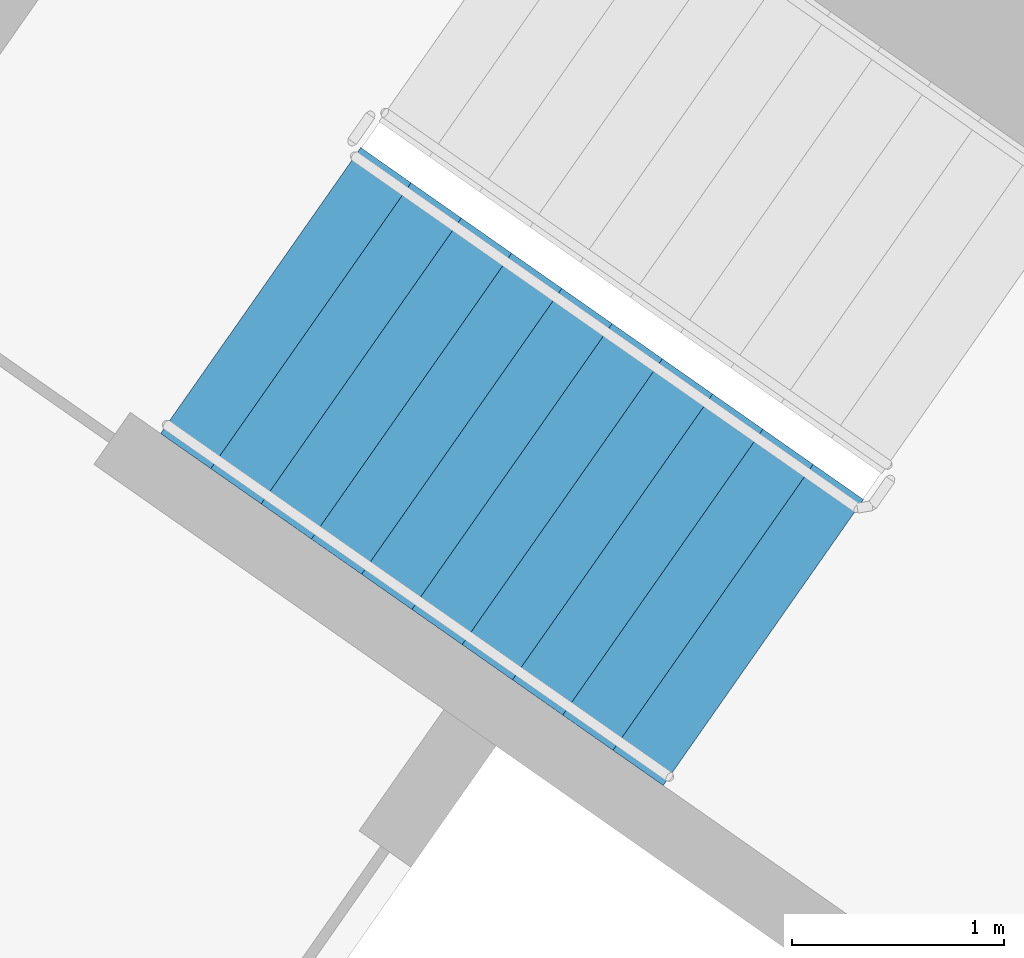
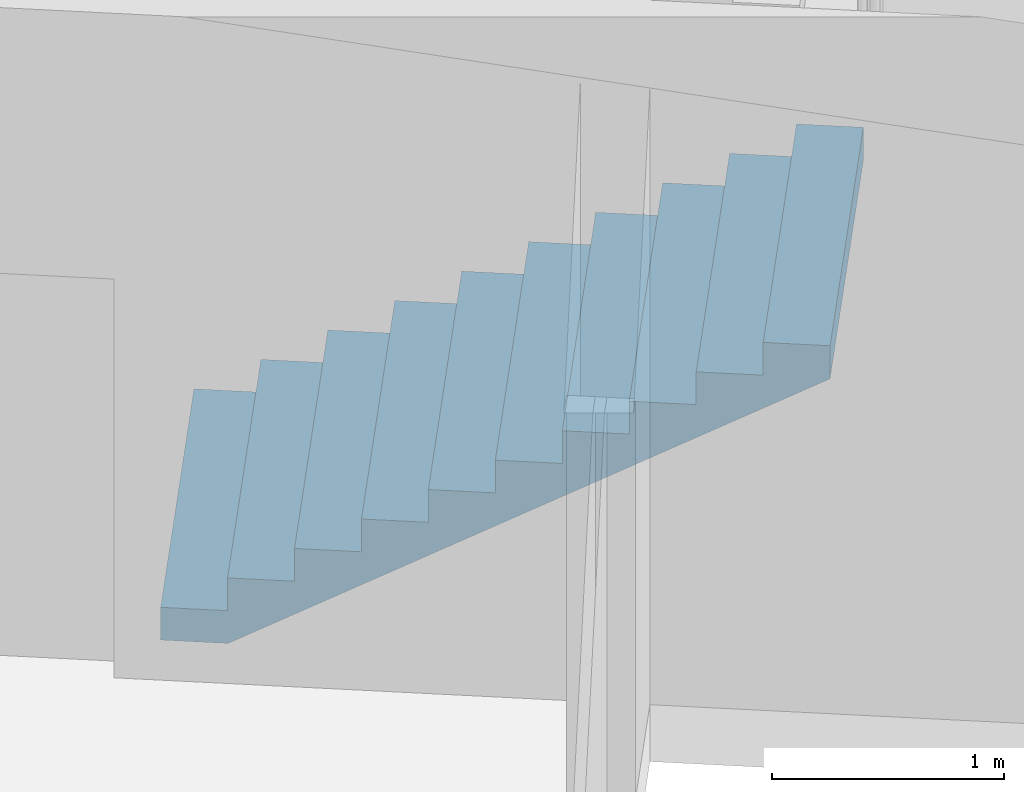
# One storey, part 12 of 28: 1 stair flight, 1 element without a shape of its own.
"""IFC4 building model written with IfcOpenShell, lengths in metres."""

from ifc_helpers import new_model, si_unit, direction, frame, origin, place, context, subcontext, project, spatial, faceted_brep, material, type_object, element, aggregate, save


model = new_model("IFC4")

# Units and contexts
model_context = context("Model", 3, precision=1e-05, world=origin(), true_north=direction((0.0, 1.0)))
body_context = subcontext(model_context, "Body", "Model", "MODEL_VIEW")
ifc_project = project(units=[si_unit("LENGTHUNIT", "METRE"), si_unit("AREAUNIT", "SQUARE_METRE"), si_unit("VOLUMEUNIT", "CUBIC_METRE"), si_unit("PLANEANGLEUNIT", "RADIAN"), si_unit("MASSUNIT", "GRAM", prefix="KILO")], contexts=[model_context])

# Site, building, storey
site_placement = place(None, origin())
site = spatial("IfcSite", under=ifc_project, at=site_placement, CompositionType="ELEMENT")
building_placement = place(site_placement, origin())
building = spatial("IfcBuilding", under=site, at=building_placement, Name="Qamariyya Broadcast Tower", CompositionType="ELEMENT")
storey_placement = place(building_placement, frame((0.0, 0.0, 218.89990234375)))
storey = spatial("IfcBuildingStorey", under=building, at=storey_placement, Name="L52", CompositionType="ELEMENT", Elevation=218.89990234375)

# Stair, stair flight
ifc_material = material(Name="Concrete C50/60", Category="concrete")
stair_type = type_object("IfcStairType", Name="Exit stair 22 risers of 173 mm", PredefinedType="HALF_TURN_STAIR", material=ifc_material)
stair_placement = place(storey_placement, origin())
stair = element("IfcStair", 1, at=stair_placement, inside=storey, type_object=stair_type, Name="L52 Stair W2", PredefinedType="HALF_TURN_STAIR")
stair_flight_type = type_object("IfcStairFlightType", Name="Exit stair flight 11 risers of 173 mm", PredefinedType="STRAIGHT", material=ifc_material)
stair_flight_placement = place(storey_placement, frame((-41.59130859375, -49.15966796875, 0.0), z_axis=(0.0, 0.0, 1.0), x_axis=(0.819152044289, -0.573576436351, 0.0)))
stair_flight = element("IfcStairFlight", 2, at=stair_flight_placement, type_object=stair_flight_type, Name="ST-W2 flight 1", NumberOfRisers=11, NumberOfTreads=10, PredefinedType="STRAIGHT", RiserHeight=0.172727273, TreadLength=0.29, context=body_context, shape_type="Brep", body=[
    faceted_brep([(0.0, 0.824951171875, 0.0), (0.0, 0.824951171875, 0.172607421875), (0.2900390625, 0.824951171875, 0.172607421875), (0.2900390625, 0.824951171875, 0.345458984375), (0.580078125, 0.824951171875, 0.345458984375), (0.580078125, 0.824951171875, 0.51806640625), (0.8701171875, 0.824951171875, 0.51806640625), (0.8701171875, 0.824951171875, 0.69091796875), (1.159912109375, 0.824951171875, 0.69091796875), (1.159912109375, 0.824951171875, 0.863525390625), (1.449951171875, 0.824951171875, 0.863525390625), (1.449951171875, 0.824951171875, 1.036376953125), (1.739990234375, 0.824951171875, 1.036376953125), (1.739990234375, 0.824951171875, 1.208984375), (2.030029296875, 0.824951171875, 1.208984375), (2.030029296875, 0.824951171875, 1.3818359375), (2.320068359375, 0.824951171875, 1.3818359375), (2.320068359375, 0.824951171875, 1.554443359375), (2.610107421875, 0.824951171875, 1.554443359375), (2.610107421875, 0.824951171875, 1.727294921875), (2.89990234375, 0.824951171875, 1.727294921875), (2.89990234375, 0.824951171875, 1.552734375), (0.29296875, 0.824951171875, 0.0), (0.29296875, -0.824951171875, 0.0), (2.89990234375, -0.824951171875, 1.552734375), (2.89990234375, -0.824951171875, 1.727294921875), (2.610107421875, -0.824951171875, 1.727294921875), (2.610107421875, -0.824951171875, 1.554443359375), (2.320068359375, -0.824951171875, 1.554443359375), (2.320068359375, -0.824951171875, 1.3818359375), (2.030029296875, -0.824951171875, 1.3818359375), (2.030029296875, -0.824951171875, 1.208984375), (1.739990234375, -0.824951171875, 1.208984375), (1.739990234375, -0.824951171875, 1.036376953125), (1.449951171875, -0.824951171875, 1.036376953125), (1.449951171875, -0.824951171875, 0.863525390625), (1.159912109375, -0.824951171875, 0.863525390625), (1.159912109375, -0.824951171875, 0.69091796875), (0.8701171875, -0.824951171875, 0.69091796875), (0.8701171875, -0.824951171875, 0.51806640625), (0.580078125, -0.824951171875, 0.51806640625), (0.580078125, -0.824951171875, 0.345458984375), (0.2900390625, -0.824951171875, 0.345458984375), (0.2900390625, -0.824951171875, 0.172607421875), (0.0, -0.824951171875, 0.172607421875), (0.0, -0.824951171875, 0.0), (0.0, 0.10009765625, 0.0), (0.0, 0.086669921875, 0.0), (0.0, 0.0732421875, 0.0), (0.0, 0.06005859375, 0.0), (0.0, 0.046630859375, 0.0), (0.0, 0.033447265625, 0.0), (0.0, 0.02001953125, 0.0), (0.0, 0.006591796875, 0.0), (0.0, -0.006591796875, 0.0), (0.0, -0.02001953125, 0.0), (0.0, -0.033447265625, 0.0), (0.0, -0.046630859375, 0.0), (0.0, -0.06005859375, 0.0), (0.0, -0.0732421875, 0.0), (0.0, -0.086669921875, 0.0), (0.0, -0.10009765625, 0.0), (0.0, -0.10009765625, 0.172607421875), (0.0, -0.086669921875, 0.172607421875), (0.0, -0.0732421875, 0.172607421875), (0.0, -0.06005859375, 0.172607421875), (0.0, -0.046630859375, 0.172607421875), (0.0, -0.033447265625, 0.172607421875), (0.0, -0.02001953125, 0.172607421875), (0.0, -0.006591796875, 0.172607421875), (0.0, 0.006591796875, 0.172607421875), (0.0, 0.02001953125, 0.172607421875), (0.0, 0.033447265625, 0.172607421875), (0.0, 0.046630859375, 0.172607421875), (0.0, 0.06005859375, 0.172607421875), (0.0, 0.0732421875, 0.172607421875), (0.0, 0.086669921875, 0.172607421875), (0.0, 0.10009765625, 0.172607421875), (0.2900390625, -0.10009765625, 0.172607421875), (0.2900390625, -0.086669921875, 0.172607421875), (0.2900390625, -0.0732421875, 0.172607421875), (0.2900390625, -0.06005859375, 0.172607421875), (0.2900390625, -0.046630859375, 0.172607421875), (0.2900390625, -0.033447265625, 0.172607421875), (0.2900390625, -0.02001953125, 0.172607421875), (0.2900390625, -0.006591796875, 0.172607421875), (0.2900390625, 0.006591796875, 0.172607421875), (0.2900390625, 0.02001953125, 0.172607421875), (0.2900390625, 0.033447265625, 0.172607421875), (0.2900390625, 0.046630859375, 0.172607421875), (0.2900390625, 0.06005859375, 0.172607421875), (0.2900390625, 0.0732421875, 0.172607421875), (0.2900390625, 0.086669921875, 0.172607421875), (0.2900390625, 0.10009765625, 0.172607421875), (0.2900390625, -0.10009765625, 0.345458984375), (0.2900390625, -0.086669921875, 0.345458984375), (0.2900390625, -0.0732421875, 0.345458984375), (0.2900390625, -0.06005859375, 0.345458984375), (0.2900390625, -0.046630859375, 0.345458984375), (0.2900390625, -0.033447265625, 0.345458984375), (0.2900390625, -0.02001953125, 0.345458984375), (0.2900390625, -0.006591796875, 0.345458984375), (0.2900390625, 0.006591796875, 0.345458984375), (0.2900390625, 0.02001953125, 0.345458984375), (0.2900390625, 0.033447265625, 0.345458984375), (0.2900390625, 0.046630859375, 0.345458984375), (0.2900390625, 0.06005859375, 0.345458984375), (0.2900390625, 0.0732421875, 0.345458984375), (0.2900390625, 0.086669921875, 0.345458984375), (0.2900390625, 0.10009765625, 0.345458984375), (0.580078125, -0.10009765625, 0.345458984375), (0.580078125, -0.086669921875, 0.345458984375), (0.580078125, -0.0732421875, 0.345458984375), (0.580078125, -0.06005859375, 0.345458984375), (0.580078125, -0.046630859375, 0.345458984375), (0.580078125, -0.033447265625, 0.345458984375), (0.580078125, -0.02001953125, 0.345458984375), (0.580078125, -0.006591796875, 0.345458984375), (0.580078125, 0.006591796875, 0.345458984375), (0.580078125, 0.02001953125, 0.345458984375), (0.580078125, 0.033447265625, 0.345458984375), (0.580078125, 0.046630859375, 0.345458984375), (0.580078125, 0.06005859375, 0.345458984375), (0.580078125, 0.0732421875, 0.345458984375), (0.580078125, 0.086669921875, 0.345458984375), (0.580078125, 0.10009765625, 0.345458984375), (0.580078125, -0.10009765625, 0.51806640625), (0.580078125, -0.086669921875, 0.51806640625), (0.580078125, -0.0732421875, 0.51806640625), (0.580078125, -0.06005859375, 0.51806640625), (0.580078125, -0.046630859375, 0.51806640625), (0.580078125, -0.033447265625, 0.51806640625), (0.580078125, -0.02001953125, 0.51806640625), (0.580078125, -0.006591796875, 0.51806640625), (0.580078125, 0.006591796875, 0.51806640625), (0.580078125, 0.02001953125, 0.51806640625), (0.580078125, 0.033447265625, 0.51806640625), (0.580078125, 0.046630859375, 0.51806640625), (0.580078125, 0.06005859375, 0.51806640625), (0.580078125, 0.0732421875, 0.51806640625), (0.580078125, 0.086669921875, 0.51806640625), (0.580078125, 0.10009765625, 0.51806640625), (0.8701171875, -0.10009765625, 0.51806640625), (0.8701171875, -0.086669921875, 0.51806640625), (0.8701171875, -0.0732421875, 0.51806640625), (0.8701171875, -0.06005859375, 0.51806640625), (0.8701171875, -0.046630859375, 0.51806640625), (0.8701171875, -0.033447265625, 0.51806640625), (0.8701171875, -0.02001953125, 0.51806640625), (0.8701171875, -0.006591796875, 0.51806640625), (0.8701171875, 0.006591796875, 0.51806640625), (0.8701171875, 0.02001953125, 0.51806640625), (0.8701171875, 0.033447265625, 0.51806640625), (0.8701171875, 0.046630859375, 0.51806640625), (0.8701171875, 0.06005859375, 0.51806640625), (0.8701171875, 0.0732421875, 0.51806640625), (0.8701171875, 0.086669921875, 0.51806640625), (0.8701171875, 0.10009765625, 0.51806640625), (0.8701171875, -0.10009765625, 0.69091796875), (0.8701171875, -0.086669921875, 0.69091796875), (0.8701171875, -0.0732421875, 0.69091796875), (0.8701171875, -0.06005859375, 0.69091796875), (0.8701171875, -0.046630859375, 0.69091796875), (0.8701171875, -0.033447265625, 0.69091796875), (0.8701171875, -0.02001953125, 0.69091796875), (0.8701171875, -0.006591796875, 0.69091796875), (0.8701171875, 0.006591796875, 0.69091796875), (0.8701171875, 0.02001953125, 0.69091796875), (0.8701171875, 0.033447265625, 0.69091796875), (0.8701171875, 0.046630859375, 0.69091796875), (0.8701171875, 0.06005859375, 0.69091796875), (0.8701171875, 0.0732421875, 0.69091796875), (0.8701171875, 0.086669921875, 0.69091796875), (0.8701171875, 0.10009765625, 0.69091796875), (1.159912109375, -0.10009765625, 0.69091796875), (1.159912109375, -0.086669921875, 0.69091796875), (1.159912109375, -0.0732421875, 0.69091796875), (1.159912109375, -0.06005859375, 0.69091796875), (1.159912109375, -0.046630859375, 0.69091796875), (1.159912109375, -0.033447265625, 0.69091796875), (1.159912109375, -0.02001953125, 0.69091796875), (1.159912109375, -0.006591796875, 0.69091796875), (1.159912109375, 0.006591796875, 0.69091796875), (1.159912109375, 0.02001953125, 0.69091796875), (1.159912109375, 0.033447265625, 0.69091796875), (1.159912109375, 0.046630859375, 0.69091796875), (1.159912109375, 0.06005859375, 0.69091796875), (1.159912109375, 0.0732421875, 0.69091796875), (1.159912109375, 0.086669921875, 0.69091796875), (1.159912109375, 0.10009765625, 0.69091796875), (1.159912109375, -0.10009765625, 0.863525390625), (1.159912109375, -0.086669921875, 0.863525390625), (1.159912109375, -0.0732421875, 0.863525390625), (1.159912109375, -0.06005859375, 0.863525390625), (1.159912109375, -0.046630859375, 0.863525390625), (1.159912109375, -0.033447265625, 0.863525390625), (1.159912109375, -0.02001953125, 0.863525390625), (1.159912109375, -0.006591796875, 0.863525390625), (1.159912109375, 0.006591796875, 0.863525390625), (1.159912109375, 0.02001953125, 0.863525390625), (1.159912109375, 0.033447265625, 0.863525390625), (1.159912109375, 0.046630859375, 0.863525390625), (1.159912109375, 0.06005859375, 0.863525390625), (1.159912109375, 0.0732421875, 0.863525390625), (1.159912109375, 0.086669921875, 0.863525390625), (1.159912109375, 0.10009765625, 0.863525390625), (1.449951171875, -0.10009765625, 0.863525390625), (1.449951171875, -0.086669921875, 0.863525390625), (1.449951171875, -0.0732421875, 0.863525390625), (1.449951171875, -0.06005859375, 0.863525390625), (1.449951171875, -0.046630859375, 0.863525390625), (1.449951171875, -0.033447265625, 0.863525390625), (1.449951171875, -0.02001953125, 0.863525390625), (1.449951171875, -0.006591796875, 0.863525390625), (1.449951171875, 0.006591796875, 0.863525390625), (1.449951171875, 0.02001953125, 0.863525390625), (1.449951171875, 0.033447265625, 0.863525390625), (1.449951171875, 0.046630859375, 0.863525390625), (1.449951171875, 0.06005859375, 0.863525390625), (1.449951171875, 0.0732421875, 0.863525390625), (1.449951171875, 0.086669921875, 0.863525390625), (1.449951171875, 0.10009765625, 0.863525390625), (1.449951171875, -0.10009765625, 1.036376953125), (1.449951171875, -0.086669921875, 1.036376953125), (1.449951171875, -0.0732421875, 1.036376953125), (1.449951171875, -0.06005859375, 1.036376953125), (1.449951171875, -0.046630859375, 1.036376953125), (1.449951171875, -0.033447265625, 1.036376953125), (1.449951171875, -0.02001953125, 1.036376953125), (1.449951171875, -0.006591796875, 1.036376953125), (1.449951171875, 0.006591796875, 1.036376953125), (1.449951171875, 0.02001953125, 1.036376953125), (1.449951171875, 0.033447265625, 1.036376953125), (1.449951171875, 0.046630859375, 1.036376953125), (1.449951171875, 0.06005859375, 1.036376953125), (1.449951171875, 0.0732421875, 1.036376953125), (1.449951171875, 0.086669921875, 1.036376953125), (1.449951171875, 0.10009765625, 1.036376953125), (1.739990234375, -0.10009765625, 1.036376953125), (1.739990234375, -0.086669921875, 1.036376953125), (1.739990234375, -0.0732421875, 1.036376953125), (1.739990234375, -0.06005859375, 1.036376953125), (1.739990234375, -0.046630859375, 1.036376953125), (1.739990234375, -0.033447265625, 1.036376953125), (1.739990234375, -0.02001953125, 1.036376953125), (1.739990234375, -0.006591796875, 1.036376953125), (1.739990234375, 0.006591796875, 1.036376953125), (1.739990234375, 0.02001953125, 1.036376953125), (1.739990234375, 0.033447265625, 1.036376953125), (1.739990234375, 0.046630859375, 1.036376953125), (1.739990234375, 0.06005859375, 1.036376953125), (1.739990234375, 0.0732421875, 1.036376953125), (1.739990234375, 0.086669921875, 1.036376953125), (1.739990234375, 0.10009765625, 1.036376953125), (1.739990234375, -0.10009765625, 1.208984375), (1.739990234375, -0.086669921875, 1.208984375), (1.739990234375, -0.0732421875, 1.208984375), (1.739990234375, -0.06005859375, 1.208984375), (1.739990234375, -0.046630859375, 1.208984375), (1.739990234375, -0.033447265625, 1.208984375), (1.739990234375, -0.02001953125, 1.208984375), (1.739990234375, -0.006591796875, 1.208984375), (1.739990234375, 0.006591796875, 1.208984375), (1.739990234375, 0.02001953125, 1.208984375), (1.739990234375, 0.033447265625, 1.208984375), (1.739990234375, 0.046630859375, 1.208984375), (1.739990234375, 0.06005859375, 1.208984375), (1.739990234375, 0.0732421875, 1.208984375), (1.739990234375, 0.086669921875, 1.208984375), (1.739990234375, 0.10009765625, 1.208984375), (2.030029296875, -0.10009765625, 1.208984375), (2.030029296875, -0.086669921875, 1.208984375), (2.030029296875, -0.0732421875, 1.208984375), (2.030029296875, -0.06005859375, 1.208984375), (2.030029296875, -0.046630859375, 1.208984375), (2.030029296875, -0.033447265625, 1.208984375), (2.030029296875, -0.02001953125, 1.208984375), (2.030029296875, -0.006591796875, 1.208984375), (2.030029296875, 0.006591796875, 1.208984375), (2.030029296875, 0.02001953125, 1.208984375), (2.030029296875, 0.033447265625, 1.208984375), (2.030029296875, 0.046630859375, 1.208984375), (2.030029296875, 0.06005859375, 1.208984375), (2.030029296875, 0.0732421875, 1.208984375), (2.030029296875, 0.086669921875, 1.208984375), (2.030029296875, 0.10009765625, 1.208984375), (2.030029296875, -0.10009765625, 1.3818359375), (2.030029296875, -0.086669921875, 1.3818359375), (2.030029296875, -0.0732421875, 1.3818359375), (2.030029296875, -0.06005859375, 1.3818359375), (2.030029296875, -0.046630859375, 1.3818359375), (2.030029296875, -0.033447265625, 1.3818359375), (2.030029296875, -0.02001953125, 1.3818359375), (2.030029296875, -0.006591796875, 1.3818359375), (2.030029296875, 0.006591796875, 1.3818359375), (2.030029296875, 0.02001953125, 1.3818359375), (2.030029296875, 0.033447265625, 1.3818359375), (2.030029296875, 0.046630859375, 1.3818359375), (2.030029296875, 0.06005859375, 1.3818359375), (2.030029296875, 0.0732421875, 1.3818359375), (2.030029296875, 0.086669921875, 1.3818359375), (2.030029296875, 0.10009765625, 1.3818359375), (2.320068359375, -0.10009765625, 1.3818359375), (2.320068359375, -0.086669921875, 1.3818359375), (2.320068359375, -0.0732421875, 1.3818359375), (2.320068359375, -0.06005859375, 1.3818359375), (2.320068359375, -0.046630859375, 1.3818359375), (2.320068359375, -0.033447265625, 1.3818359375), (2.320068359375, -0.02001953125, 1.3818359375), (2.320068359375, -0.006591796875, 1.3818359375), (2.320068359375, 0.006591796875, 1.3818359375), (2.320068359375, 0.02001953125, 1.3818359375), (2.320068359375, 0.033447265625, 1.3818359375), (2.320068359375, 0.046630859375, 1.3818359375), (2.320068359375, 0.06005859375, 1.3818359375), (2.320068359375, 0.0732421875, 1.3818359375), (2.320068359375, 0.086669921875, 1.3818359375), (2.320068359375, 0.10009765625, 1.3818359375), (2.320068359375, -0.10009765625, 1.554443359375), (2.320068359375, -0.086669921875, 1.554443359375), (2.320068359375, -0.0732421875, 1.554443359375), (2.320068359375, -0.06005859375, 1.554443359375), (2.320068359375, -0.046630859375, 1.554443359375), (2.320068359375, -0.033447265625, 1.554443359375), (2.320068359375, -0.02001953125, 1.554443359375), (2.320068359375, -0.006591796875, 1.554443359375), (2.320068359375, 0.006591796875, 1.554443359375), (2.320068359375, 0.02001953125, 1.554443359375), (2.320068359375, 0.033447265625, 1.554443359375), (2.320068359375, 0.046630859375, 1.554443359375), (2.320068359375, 0.06005859375, 1.554443359375), (2.320068359375, 0.0732421875, 1.554443359375), (2.320068359375, 0.086669921875, 1.554443359375), (2.320068359375, 0.10009765625, 1.554443359375), (2.610107421875, -0.10009765625, 1.554443359375), (2.610107421875, -0.086669921875, 1.554443359375), (2.610107421875, -0.0732421875, 1.554443359375), (2.610107421875, -0.06005859375, 1.554443359375), (2.610107421875, -0.046630859375, 1.554443359375), (2.610107421875, -0.033447265625, 1.554443359375), (2.610107421875, -0.02001953125, 1.554443359375), (2.610107421875, -0.006591796875, 1.554443359375), (2.610107421875, 0.006591796875, 1.554443359375), (2.610107421875, 0.02001953125, 1.554443359375), (2.610107421875, 0.033447265625, 1.554443359375), (2.610107421875, 0.046630859375, 1.554443359375), (2.610107421875, 0.06005859375, 1.554443359375), (2.610107421875, 0.0732421875, 1.554443359375), (2.610107421875, 0.086669921875, 1.554443359375), (2.610107421875, 0.10009765625, 1.554443359375), (2.610107421875, -0.10009765625, 1.727294921875), (2.610107421875, -0.086669921875, 1.727294921875), (2.610107421875, -0.0732421875, 1.727294921875), (2.610107421875, -0.06005859375, 1.727294921875), (2.610107421875, -0.046630859375, 1.727294921875), (2.610107421875, -0.033447265625, 1.727294921875), (2.610107421875, -0.02001953125, 1.727294921875), (2.610107421875, -0.006591796875, 1.727294921875), (2.610107421875, 0.006591796875, 1.727294921875), (2.610107421875, 0.02001953125, 1.727294921875), (2.610107421875, 0.033447265625, 1.727294921875), (2.610107421875, 0.046630859375, 1.727294921875), (2.610107421875, 0.06005859375, 1.727294921875), (2.610107421875, 0.0732421875, 1.727294921875), (2.610107421875, 0.086669921875, 1.727294921875), (2.610107421875, 0.10009765625, 1.727294921875), (2.89990234375, -0.10009765625, 1.727294921875), (2.89990234375, -0.086669921875, 1.727294921875), (2.89990234375, -0.0732421875, 1.727294921875), (2.89990234375, -0.06005859375, 1.727294921875), (2.89990234375, -0.046630859375, 1.727294921875), (2.89990234375, -0.033447265625, 1.727294921875), (2.89990234375, -0.02001953125, 1.727294921875), (2.89990234375, -0.006591796875, 1.727294921875), (2.89990234375, 0.006591796875, 1.727294921875), (2.89990234375, 0.02001953125, 1.727294921875), (2.89990234375, 0.033447265625, 1.727294921875), (2.89990234375, 0.046630859375, 1.727294921875), (2.89990234375, 0.06005859375, 1.727294921875), (2.89990234375, 0.0732421875, 1.727294921875), (2.89990234375, 0.086669921875, 1.727294921875), (2.89990234375, 0.10009765625, 1.727294921875), (2.89990234375, -0.10009765625, 1.552734375), (2.89990234375, -0.086669921875, 1.552734375), (2.89990234375, -0.0732421875, 1.552734375), (2.89990234375, -0.06005859375, 1.552734375), (2.89990234375, -0.046630859375, 1.552734375), (2.89990234375, -0.033447265625, 1.552734375), (2.89990234375, -0.02001953125, 1.552734375), (2.89990234375, -0.006591796875, 1.552734375), (2.89990234375, 0.006591796875, 1.552734375), (2.89990234375, 0.02001953125, 1.552734375), (2.89990234375, 0.033447265625, 1.552734375), (2.89990234375, 0.046630859375, 1.552734375), (2.89990234375, 0.06005859375, 1.552734375), (2.89990234375, 0.0732421875, 1.552734375), (2.89990234375, 0.086669921875, 1.552734375), (2.89990234375, 0.10009765625, 1.552734375), (0.29296875, -0.10009765625, 0.0), (0.29296875, -0.086669921875, 0.0), (0.29296875, -0.0732421875, 0.0), (0.29296875, -0.06005859375, 0.0), (0.29296875, -0.046630859375, 0.0), (0.29296875, -0.033447265625, 0.0), (0.29296875, -0.02001953125, 0.0), (0.29296875, -0.006591796875, 0.0), (0.29296875, 0.006591796875, 0.0), (0.29296875, 0.02001953125, 0.0), (0.29296875, 0.033447265625, 0.0), (0.29296875, 0.046630859375, 0.0), (0.29296875, 0.06005859375, 0.0), (0.29296875, 0.0732421875, 0.0), (0.29296875, 0.086669921875, 0.0), (0.29296875, 0.10009765625, 0.0)], [[[0, 1, 2, 3, 4, 5, 6, 7, 8, 9, 10, 11, 12, 13, 14, 15, 16, 17, 18, 19, 20, 21, 22]], [[23, 24, 25, 26, 27, 28, 29, 30, 31, 32, 33, 34, 35, 36, 37, 38, 39, 40, 41, 42, 43, 44, 45]], [[0, 46, 47, 48, 49, 50, 51, 52, 53, 54, 55, 56, 57, 58, 59, 60, 61, 45, 44, 62, 63, 64, 65, 66, 67, 68, 69, 70, 71, 72, 73, 74, 75, 76, 77, 1]], [[1, 77, 76, 75, 74, 73, 72, 71, 70, 69, 68, 67, 66, 65, 64, 63, 62, 44, 43, 78, 79, 80, 81, 82, 83, 84, 85, 86, 87, 88, 89, 90, 91, 92, 93, 2]], [[2, 93, 92, 91, 90, 89, 88, 87, 86, 85, 84, 83, 82, 81, 80, 79, 78, 43, 42, 94, 95, 96, 97, 98, 99, 100, 101, 102, 103, 104, 105, 106, 107, 108, 109, 3]], [[3, 109, 108, 107, 106, 105, 104, 103, 102, 101, 100, 99, 98, 97, 96, 95, 94, 42, 41, 110, 111, 112, 113, 114, 115, 116, 117, 118, 119, 120, 121, 122, 123, 124, 125, 4]], [[4, 125, 124, 123, 122, 121, 120, 119, 118, 117, 116, 115, 114, 113, 112, 111, 110, 41, 40, 126, 127, 128, 129, 130, 131, 132, 133, 134, 135, 136, 137, 138, 139, 140, 141, 5]], [[5, 141, 140, 139, 138, 137, 136, 135, 134, 133, 132, 131, 130, 129, 128, 127, 126, 40, 39, 142, 143, 144, 145, 146, 147, 148, 149, 150, 151, 152, 153, 154, 155, 156, 157, 6]], [[6, 157, 156, 155, 154, 153, 152, 151, 150, 149, 148, 147, 146, 145, 144, 143, 142, 39, 38, 158, 159, 160, 161, 162, 163, 164, 165, 166, 167, 168, 169, 170, 171, 172, 173, 7]], [[7, 173, 172, 171, 170, 169, 168, 167, 166, 165, 164, 163, 162, 161, 160, 159, 158, 38, 37, 174, 175, 176, 177, 178, 179, 180, 181, 182, 183, 184, 185, 186, 187, 188, 189, 8]], [[8, 189, 188, 187, 186, 185, 184, 183, 182, 181, 180, 179, 178, 177, 176, 175, 174, 37, 36, 190, 191, 192, 193, 194, 195, 196, 197, 198, 199, 200, 201, 202, 203, 204, 205, 9]], [[9, 205, 204, 203, 202, 201, 200, 199, 198, 197, 196, 195, 194, 193, 192, 191, 190, 36, 35, 206, 207, 208, 209, 210, 211, 212, 213, 214, 215, 216, 217, 218, 219, 220, 221, 10]], [[10, 221, 220, 219, 218, 217, 216, 215, 214, 213, 212, 211, 210, 209, 208, 207, 206, 35, 34, 222, 223, 224, 225, 226, 227, 228, 229, 230, 231, 232, 233, 234, 235, 236, 237, 11]], [[11, 237, 236, 235, 234, 233, 232, 231, 230, 229, 228, 227, 226, 225, 224, 223, 222, 34, 33, 238, 239, 240, 241, 242, 243, 244, 245, 246, 247, 248, 249, 250, 251, 252, 253, 12]], [[12, 253, 252, 251, 250, 249, 248, 247, 246, 245, 244, 243, 242, 241, 240, 239, 238, 33, 32, 254, 255, 256, 257, 258, 259, 260, 261, 262, 263, 264, 265, 266, 267, 268, 269, 13]], [[13, 269, 268, 267, 266, 265, 264, 263, 262, 261, 260, 259, 258, 257, 256, 255, 254, 32, 31, 270, 271, 272, 273, 274, 275, 276, 277, 278, 279, 280, 281, 282, 283, 284, 285, 14]], [[14, 285, 284, 283, 282, 281, 280, 279, 278, 277, 276, 275, 274, 273, 272, 271, 270, 31, 30, 286, 287, 288, 289, 290, 291, 292, 293, 294, 295, 296, 297, 298, 299, 300, 301, 15]], [[15, 301, 300, 299, 298, 297, 296, 295, 294, 293, 292, 291, 290, 289, 288, 287, 286, 30, 29, 302, 303, 304, 305, 306, 307, 308, 309, 310, 311, 312, 313, 314, 315, 316, 317, 16]], [[16, 317, 316, 315, 314, 313, 312, 311, 310, 309, 308, 307, 306, 305, 304, 303, 302, 29, 28, 318, 319, 320, 321, 322, 323, 324, 325, 326, 327, 328, 329, 330, 331, 332, 333, 17]], [[17, 333, 332, 331, 330, 329, 328, 327, 326, 325, 324, 323, 322, 321, 320, 319, 318, 28, 27, 334, 335, 336, 337, 338, 339, 340, 341, 342, 343, 344, 345, 346, 347, 348, 349, 18]], [[18, 349, 348, 347, 346, 345, 344, 343, 342, 341, 340, 339, 338, 337, 336, 335, 334, 27, 26, 350, 351, 352, 353, 354, 355, 356, 357, 358, 359, 360, 361, 362, 363, 364, 365, 19]], [[19, 365, 364, 363, 362, 361, 360, 359, 358, 357, 356, 355, 354, 353, 352, 351, 350, 26, 25, 366, 367, 368, 369, 370, 371, 372, 373, 374, 375, 376, 377, 378, 379, 380, 381, 20]], [[20, 381, 380, 379, 378, 377, 376, 375, 374, 373, 372, 371, 370, 369, 368, 367, 366, 25, 24, 382, 383, 384, 385, 386, 387, 388, 389, 390, 391, 392, 393, 394, 395, 396, 397, 21]], [[21, 397, 396, 395, 394, 393, 392, 391, 390, 389, 388, 387, 386, 385, 384, 383, 382, 24, 23, 398, 399, 400, 401, 402, 403, 404, 405, 406, 407, 408, 409, 410, 411, 412, 413, 22]], [[22, 413, 412, 411, 410, 409, 408, 407, 406, 405, 404, 403, 402, 401, 400, 399, 398, 23, 45, 61, 60, 59, 58, 57, 56, 55, 54, 53, 52, 51, 50, 49, 48, 47, 46, 0]]]),
])
aggregate(stair, [stair_flight])

save(model, "model.ifc")
